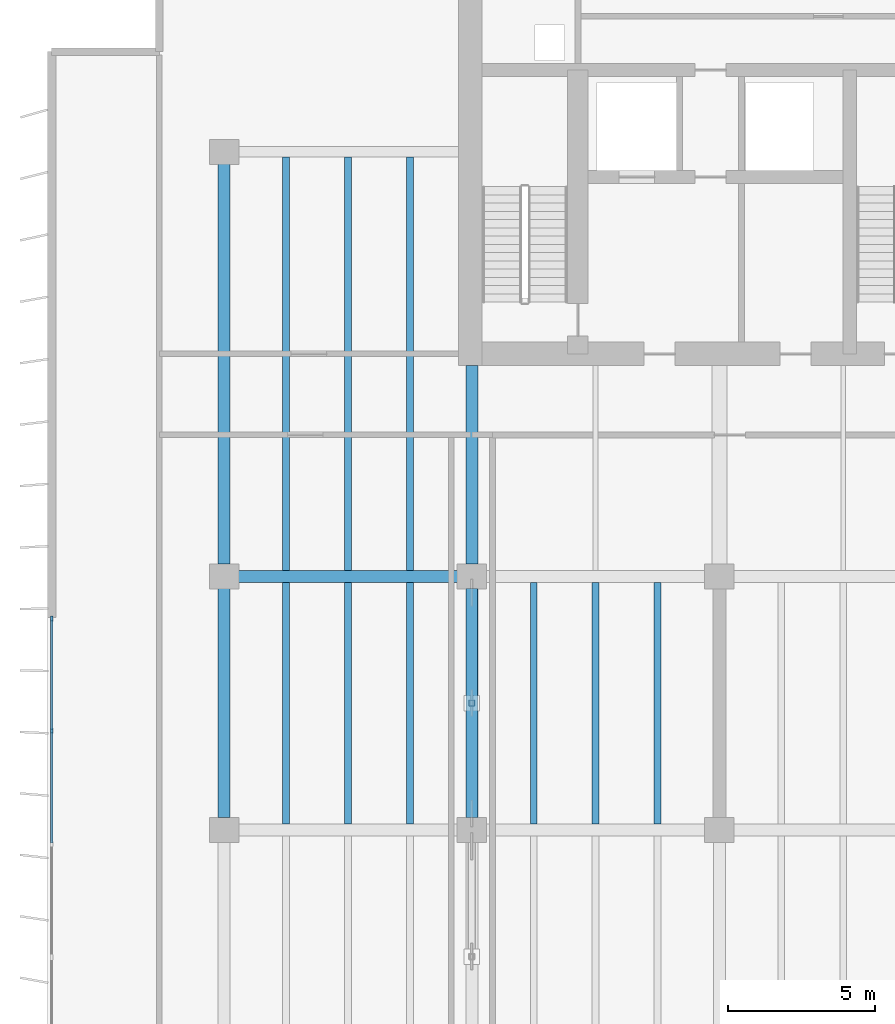
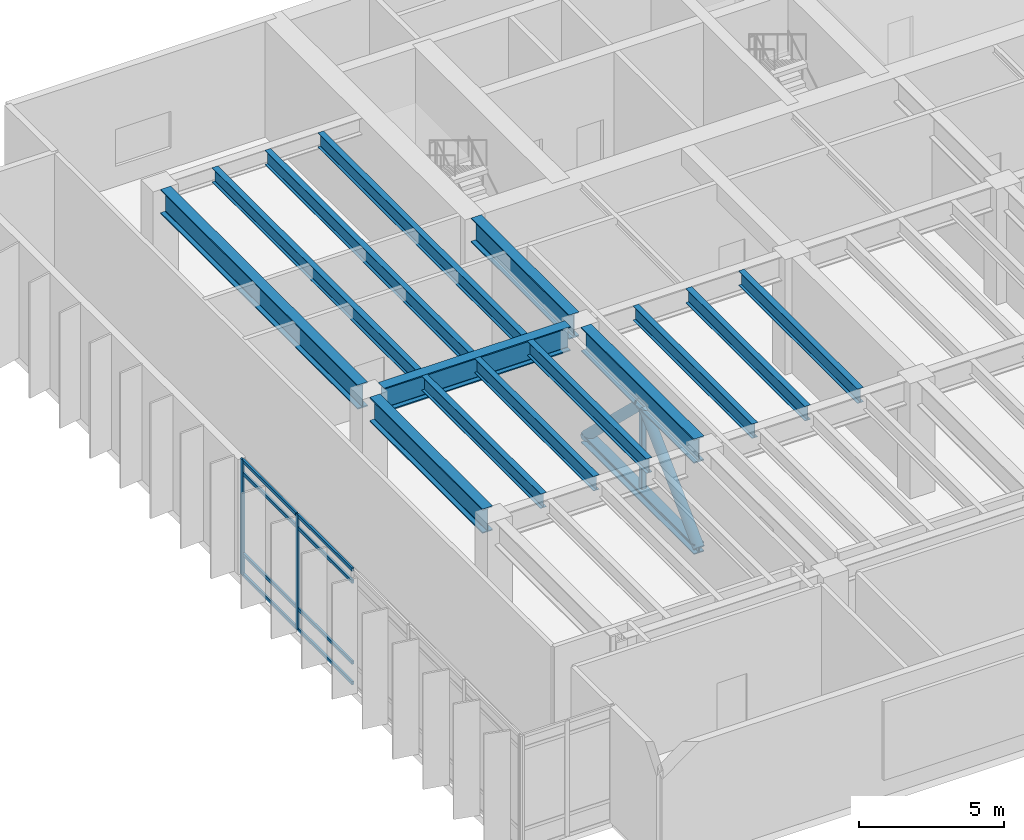
# One storey, part 4 of 18: 15 beams, 13 members, 1 element without a shape of its own.
"""IFC4 building model written with IfcOpenShell, lengths in metres."""

from ifc_helpers import new_model, si_unit, direction, frame, origin, origin_2d, place, context, subcontext, project, spatial, rectangle, hollow_rectangle, hollow_circle, i_section, extrude, material, layer, layer_set, material_profile, profile_set, type_object, element, aggregate, save


model = new_model("IFC4")

# Units and contexts
model_context = context("Model", 3, precision=1e-05, world=origin(), true_north=direction((0.0, 1.0)))
body_context = subcontext(model_context, "Body", "Model", "MODEL_VIEW")
ifc_project = project(units=[si_unit("LENGTHUNIT", "METRE"), si_unit("AREAUNIT", "SQUARE_METRE"), si_unit("VOLUMEUNIT", "CUBIC_METRE"), si_unit("PLANEANGLEUNIT", "RADIAN"), si_unit("MASSUNIT", "GRAM", prefix="KILO")], contexts=[model_context])

# Site, building, storey
site_placement = place(None, origin())
site = spatial("IfcSite", under=ifc_project, at=site_placement, CompositionType="ELEMENT")
building_placement = place(site_placement, origin())
building = spatial("IfcBuilding", under=site, at=building_placement, Name="Caelmar Bay Residences", CompositionType="ELEMENT")
storey_placement = place(building_placement, frame((0.0, 0.0, 152.10009765625)))
storey = spatial("IfcBuildingStorey", under=building, at=storey_placement, Name="L42", CompositionType="ELEMENT", Elevation=152.10009765625)

# Beams
ifc_material_1 = material(Name="Steel ASTM A992 Grade 50", Category="steel")
ifc_material_profile_1 = material_profile(ifc_material_1, i_section(OverallWidth=0.40087890625, OverallDepth=0.39892578125, WebThickness=0.02490234375, FlangeThickness=0.03955078125, FilletRadius=0.01513671875, at=origin_2d()), Name="W14X211")
ifc_profile_set_1 = profile_set([ifc_material_profile_1], Name="Steel ASTM A992 Grade 50")
beam_type_1 = type_object("IfcBeamType", Name="BM-CHD-W14X211", PredefinedType="BEAM", material=ifc_profile_set_1)
beam_1_placement = place(storey_placement, frame((18.300048828125, 21.215087890625, 0.199462890625), z_axis=(0.0, 1.0, 0.0), x_axis=(-1.0, 0.0, 0.0)))
element("IfcBeam", 1, at=beam_1_placement, inside=storey, type_object=beam_type_1, Name="L42 Outrigger Bottom Chord 2", PredefinedType="BEAM", context=body_context, shape_type="SweptSolid", body=[
    extrude(i_section(OverallWidth=0.40087890625, OverallDepth=0.39892578125, WebThickness=0.02490234375, FlangeThickness=0.03955078125, FilletRadius=0.01513671875, at=origin_2d()), origin(), (0.0, 0.0, 1.0), 7.77001953125),
])
ifc_material_profile_2 = material_profile(ifc_material_1, i_section(OverallWidth=0.404052734375, OverallDepth=1.02099609375, WebThickness=0.025390625, FlangeThickness=0.0458984375, FilletRadius=0.02294921875, at=origin_2d()), Name="W40X324")
ifc_profile_set_2 = profile_set([ifc_material_profile_2], Name="Steel ASTM A992 Grade 50")
beam_type_2 = type_object("IfcBeamType", Name="BM-GRD-W40X324", PredefinedType="BEAM", material=ifc_profile_set_2)
beam_2_placement = place(storey_placement, frame((10.389892578125, 29.39990234375, 4.33935546875), z_axis=(1.0, 0.0, 0.0), x_axis=(0.0, 1.0, 0.0)))
element("IfcBeam", 2, at=beam_2_placement, inside=storey, type_object=beam_type_2, Name="L42 East-West Girder Y=29.40 (9.9-18.3)", PredefinedType="BEAM", context=body_context, shape_type="SweptSolid", body=[
    extrude(i_section(OverallWidth=0.404052734375, OverallDepth=1.02099609375, WebThickness=0.025390625, FlangeThickness=0.0458984375, FilletRadius=0.02294921875, at=origin_2d()), origin(), (0.0, 0.0, 1.0), 7.420166015625),
])
beam_3_placement = place(storey_placement, frame((9.89990234375, 21.215087890625, 4.33935546875), z_axis=(0.0, 1.0, 0.0), x_axis=(-1.0, 0.0, 0.0)))
element("IfcBeam", 3, at=beam_3_placement, inside=storey, type_object=beam_type_2, Name="L42 North-South Girder X=9.90 (20.8-29.4)", PredefinedType="BEAM", context=body_context, shape_type="SweptSolid", body=[
    extrude(i_section(OverallWidth=0.404052734375, OverallDepth=1.02099609375, WebThickness=0.025390625, FlangeThickness=0.0458984375, FilletRadius=0.02294921875, at=origin_2d()), origin(), (0.0, 0.0, 1.0), 7.77001953125),
])
beam_4_placement = place(storey_placement, frame((9.89990234375, 29.81494140625, 4.33935546875), z_axis=(0.0, 1.0, 0.0), x_axis=(-1.0, 0.0, 0.0)))
element("IfcBeam", 4, at=beam_4_placement, inside=storey, type_object=beam_type_2, Name="L42 North-South Girder X=9.90 (29.4-43.8)", PredefinedType="BEAM", context=body_context, shape_type="SweptSolid", body=[
    extrude(i_section(OverallWidth=0.404052734375, OverallDepth=1.02099609375, WebThickness=0.025390625, FlangeThickness=0.0458984375, FilletRadius=0.02294921875, at=origin_2d()), origin(), (0.0, 0.0, 1.0), 13.570068359375),
])
beam_5_placement = place(storey_placement, frame((18.300048828125, 29.81494140625, 4.33935546875), z_axis=(0.0, 1.0, 0.0), x_axis=(-1.0, 0.0, 0.0)))
element("IfcBeam", 5, at=beam_5_placement, inside=storey, type_object=beam_type_2, Name="L42 Core Tie Girder X=18.30", PredefinedType="BEAM", context=body_context, shape_type="SweptSolid", body=[
    extrude(i_section(OverallWidth=0.404052734375, OverallDepth=1.02099609375, WebThickness=0.025390625, FlangeThickness=0.0458984375, FilletRadius=0.02294921875, at=origin_2d()), origin(), (0.0, 0.0, 1.0), 6.735107421875),
])
beam_6_placement = place(storey_placement, frame((18.300048828125, 21.215087890625, 4.33935546875), z_axis=(0.0, 1.0, 0.0), x_axis=(-1.0, 0.0, 0.0)))
element("IfcBeam", 6, at=beam_6_placement, inside=storey, type_object=beam_type_2, Name="L42 North-South Girder X=18.30 (20.8-29.4)", PredefinedType="BEAM", context=body_context, shape_type="SweptSolid", body=[
    extrude(i_section(OverallWidth=0.404052734375, OverallDepth=1.02099609375, WebThickness=0.025390625, FlangeThickness=0.0458984375, FilletRadius=0.02294921875, at=origin_2d()), origin(), (0.0, 0.0, 1.0), 7.77001953125),
])
ifc_material_profile_3 = material_profile(ifc_material_1, i_section(OverallWidth=0.22900390625, OverallDepth=0.612060546875, WebThickness=0.011962890625, FlangeThickness=0.01953125, FilletRadius=0.0126953125, at=origin_2d()), Name="W24X84")
ifc_profile_set_3 = profile_set([ifc_material_profile_3], Name="Steel ASTM A992 Grade 50")
beam_type_3 = type_object("IfcBeamType", Name="BM-JST-W24X84", PredefinedType="JOIST", material=ifc_profile_set_3)
for number, where, z_axis, x_axis, name in (
    (7, (12.0, 21.001953125, 4.5439453125), (0.0, 1.0, 0.0), (-1.0, 0.0, 0.0), "L42 Composite Floor Joist 22"),
    (8, (14.10009765625, 21.001953125, 4.5439453125), (0.0, 1.0, 0.0), (-1.0, 0.0, 0.0), "L42 Composite Floor Joist 23"),
    (9, (16.199951171875, 21.001953125, 4.5439453125), (0.0, 1.0, 0.0), (-1.0, 0.0, 0.0), "L42 Composite Floor Joist 24"),
    (10, (20.39990234375, 21.001953125, 4.5439453125), (0.0, 1.0, 0.0), (-1.0, 0.0, 0.0), "L42 Composite Floor Joist 25"),
    (11, (22.5, 21.001953125, 4.5439453125), (0.0, 1.0, 0.0), (-1.0, 0.0, 0.0), "L42 Composite Floor Joist 26"),
    (12, (24.60009765625, 21.001953125, 4.5439453125), (0.0, 1.0, 0.0), (-1.0, 0.0, 0.0), "L42 Composite Floor Joist 27"),
):
    element("IfcBeam", number, at=place(storey_placement, frame(where, z_axis=z_axis, x_axis=x_axis)), inside=storey, type_object=beam_type_3, Name=name, PredefinedType="JOIST", context=body_context, shape_type="SweptSolid", body=[
        extrude(i_section(OverallWidth=0.22900390625, OverallDepth=0.612060546875, WebThickness=0.011962890625, FlangeThickness=0.01953125, FilletRadius=0.0126953125, at=origin_2d()), origin(), (0.0, 0.0, 1.0), 8.196044921875),
    ])
for number, where, z_axis, x_axis, name in (
    (13, (12.0, 29.60205078125, 4.5439453125), (0.0, 1.0, 0.0), (-1.0, 0.0, 0.0), "L42 Composite Floor Joist 48"),
    (14, (14.10009765625, 29.60205078125, 4.5439453125), (0.0, 1.0, 0.0), (-1.0, 0.0, 0.0), "L42 Composite Floor Joist 49"),
    (15, (16.199951171875, 29.60205078125, 4.5439453125), (0.0, 1.0, 0.0), (-1.0, 0.0, 0.0), "L42 Composite Floor Joist 50"),
):
    element("IfcBeam", number, at=place(storey_placement, frame(where, z_axis=z_axis, x_axis=x_axis)), inside=storey, type_object=beam_type_3, Name=name, PredefinedType="JOIST", context=body_context, shape_type="SweptSolid", body=[
        extrude(i_section(OverallWidth=0.22900390625, OverallDepth=0.612060546875, WebThickness=0.011962890625, FlangeThickness=0.01953125, FilletRadius=0.0126953125, at=origin_2d()), origin(), (0.0, 0.0, 1.0), 14.02001953125),
    ])

# Curtain wall, members
ifc_material_2 = material(Name="Anodised bronze aluminium 6063-T6 and laminated glass", Category="aluminium")
ifc_layer = layer(ifc_material_2, 0.179931640625)
ifc_layer_set = layer_set([ifc_layer], Name="Anodised bronze aluminium 6063-T6 and laminated glass")
curtain_wall_type = type_object("IfcCurtainWallType", Name="CW3-Z2", PredefinedType="NOTDEFINED", material=ifc_layer_set)
curtain_wall_placement = place(storey_placement, origin())
curtain_wall = element("IfcCurtainWall", 16, at=curtain_wall_placement, inside=storey, type_object=curtain_wall_type, Name="CW3 curtain wall L42", PredefinedType="NOTDEFINED")
ifc_material_3 = material(Name="Anodised bronze aluminium 6063-T6", Category="aluminium")
ifc_material_profile_4 = material_profile(ifc_material_3, rectangle(XDim=0.080078125, YDim=0.179931640625, at=origin_2d()), Name="CWM-80X180")
ifc_profile_set_4 = profile_set([ifc_material_profile_4], Name="Anodised bronze aluminium 6063-T6")
member_type_1 = type_object("IfcMemberType", Name="CWM-180", PredefinedType="MULLION", material=ifc_profile_set_4)
member_1_placement = place(storey_placement, frame((4.050048828125, 24.159912109375, 0.0), z_axis=(0.0, 0.0, 1.0), x_axis=(-1.0, 0.0, 0.0)))
member_1 = element("IfcMember", 17, at=member_1_placement, type_object=member_type_1, Name="CW3 mullion 5", PredefinedType="MULLION", context=body_context, shape_type="SweptSolid", body=[
    extrude(rectangle(XDim=0.080078125, YDim=0.179931640625, at=origin_2d()), origin(), (0.0, 0.0, 1.0), 4.849853515625),
])
member_2_placement = place(storey_placement, frame((4.050048828125, 27.9599609375, 0.0), z_axis=(0.0, 0.0, 1.0), x_axis=(-1.0, 0.0, 0.0)))
member_2 = element("IfcMember", 18, at=member_2_placement, type_object=member_type_1, Name="CW3 mullion 6", PredefinedType="MULLION", context=body_context, shape_type="SweptSolid", body=[
    extrude(rectangle(XDim=0.080078125, YDim=0.179931640625, at=origin_2d()), origin(), (0.0, 0.0, 1.0), 4.849853515625),
])
ifc_material_profile_5 = material_profile(ifc_material_3, rectangle(XDim=0.080078125, YDim=0.139892578125, at=origin_2d()), Name="CWT-80X140")
ifc_profile_set_5 = profile_set([ifc_material_profile_5], Name="Anodised bronze aluminium 6063-T6")
member_type_2 = type_object("IfcMemberType", Name="CWT-140", PredefinedType="NOTDEFINED", material=ifc_profile_set_5)
member_3_placement = place(storey_placement, frame((4.050048828125, 20.360107421875, 0.039794921875), z_axis=(0.0, 1.0, 0.0), x_axis=(-1.0, 0.0, 0.0)))
member_3 = element("IfcMember", 19, at=member_3_placement, type_object=member_type_2, Name="CW3 transom 4.1", ObjectType="TRANSOM", PredefinedType="USERDEFINED", context=body_context, shape_type="SweptSolid", body=[
    extrude(rectangle(XDim=0.080078125, YDim=0.139892578125, at=origin_2d()), origin(), (0.0, 0.0, 1.0), 3.760009765625),
])
member_4_placement = place(storey_placement, frame((4.050048828125, 20.360107421875, 0.89990234375), z_axis=(0.0, 1.0, 0.0), x_axis=(-1.0, 0.0, 0.0)))
member_4 = element("IfcMember", 20, at=member_4_placement, type_object=member_type_2, Name="CW3 transom 4.2", ObjectType="TRANSOM", PredefinedType="USERDEFINED", context=body_context, shape_type="SweptSolid", body=[
    extrude(rectangle(XDim=0.080078125, YDim=0.139892578125, at=origin_2d()), origin(), (0.0, 0.0, 1.0), 3.760009765625),
])
member_5_placement = place(storey_placement, frame((4.050048828125, 20.360107421875, 4.2998046875), z_axis=(0.0, 1.0, 0.0), x_axis=(-1.0, 0.0, 0.0)))
member_5 = element("IfcMember", 21, at=member_5_placement, type_object=member_type_2, Name="CW3 transom 4.3", ObjectType="TRANSOM", PredefinedType="USERDEFINED", context=body_context, shape_type="SweptSolid", body=[
    extrude(rectangle(XDim=0.080078125, YDim=0.139892578125, at=origin_2d()), origin(), (0.0, 0.0, 1.0), 3.760009765625),
])
member_6_placement = place(storey_placement, frame((4.050048828125, 20.360107421875, 4.809814453125), z_axis=(0.0, 1.0, 0.0), x_axis=(-1.0, 0.0, 0.0)))
member_6 = element("IfcMember", 22, at=member_6_placement, type_object=member_type_2, Name="CW3 transom 4.4", ObjectType="TRANSOM", PredefinedType="USERDEFINED", context=body_context, shape_type="SweptSolid", body=[
    extrude(rectangle(XDim=0.080078125, YDim=0.139892578125, at=origin_2d()), origin(), (0.0, 0.0, 1.0), 3.760009765625),
])
member_7_placement = place(storey_placement, frame((4.050048828125, 24.199951171875, 0.039794921875), z_axis=(0.0, 1.0, 0.0), x_axis=(-1.0, 0.0, 0.0)))
member_7 = element("IfcMember", 23, at=member_7_placement, type_object=member_type_2, Name="CW3 transom 5.1", ObjectType="TRANSOM", PredefinedType="USERDEFINED", context=body_context, shape_type="SweptSolid", body=[
    extrude(rectangle(XDim=0.080078125, YDim=0.139892578125, at=origin_2d()), origin(), (0.0, 0.0, 1.0), 3.719970703125),
])
member_8_placement = place(storey_placement, frame((4.050048828125, 24.199951171875, 0.89990234375), z_axis=(0.0, 1.0, 0.0), x_axis=(-1.0, 0.0, 0.0)))
member_8 = element("IfcMember", 24, at=member_8_placement, type_object=member_type_2, Name="CW3 transom 5.2", ObjectType="TRANSOM", PredefinedType="USERDEFINED", context=body_context, shape_type="SweptSolid", body=[
    extrude(rectangle(XDim=0.080078125, YDim=0.139892578125, at=origin_2d()), origin(), (0.0, 0.0, 1.0), 3.719970703125),
])
member_9_placement = place(storey_placement, frame((4.050048828125, 24.199951171875, 4.2998046875), z_axis=(0.0, 1.0, 0.0), x_axis=(-1.0, 0.0, 0.0)))
member_9 = element("IfcMember", 25, at=member_9_placement, type_object=member_type_2, Name="CW3 transom 5.3", ObjectType="TRANSOM", PredefinedType="USERDEFINED", context=body_context, shape_type="SweptSolid", body=[
    extrude(rectangle(XDim=0.080078125, YDim=0.139892578125, at=origin_2d()), origin(), (0.0, 0.0, 1.0), 3.719970703125),
])
member_10_placement = place(storey_placement, frame((4.050048828125, 24.199951171875, 4.809814453125), z_axis=(0.0, 1.0, 0.0), x_axis=(-1.0, 0.0, 0.0)))
member_10 = element("IfcMember", 26, at=member_10_placement, type_object=member_type_2, Name="CW3 transom 5.4", ObjectType="TRANSOM", PredefinedType="USERDEFINED", context=body_context, shape_type="SweptSolid", body=[
    extrude(rectangle(XDim=0.080078125, YDim=0.139892578125, at=origin_2d()), origin(), (0.0, 0.0, 1.0), 3.719970703125),
])
aggregate(curtain_wall, [member_1, member_2, member_3, member_4, member_5, member_6, member_7, member_8, member_9, member_10])

# Members
ifc_material_4 = material(Name="Steel ASTM A500 Grade C", Category="steel")
ifc_material_profile_6 = material_profile(ifc_material_4, hollow_circle(Radius=0.202880859375, WallThickness=0.020751953125, at=origin_2d()), Name="CHS406X22.2")
ifc_profile_set_6 = profile_set([ifc_material_profile_6], Name="Steel ASTM A500 Grade C")
member_type_3 = type_object("IfcMemberType", Name="MEM-OUT-CHS406", PredefinedType="BRACE", material=ifc_profile_set_6)
member_11_placement = place(storey_placement, frame((18.300048828125, 21.215087890625, 0.219970703125), z_axis=(0.0, 0.720456799152, 0.693499820155), x_axis=(-1.0, 0.0, 0.0)))
element("IfcMember", 27, at=member_11_placement, inside=storey, type_object=member_type_3, Name="L42 Outrigger Diagonal 2A", PredefinedType="BRACE", context=body_context, shape_type="SweptSolid", body=[
    extrude(hollow_circle(Radius=0.202880859375, WallThickness=0.020751953125, at=origin_2d()), origin(), (0.0, 0.0, 1.0), 5.2255859375),
])
member_12_placement = place(storey_placement, frame((18.300048828125, 28.985107421875, 0.219970703125), z_axis=(0.0, -0.720479267244, 0.693476477951), x_axis=(1.0, 0.0, 0.0)))
element("IfcMember", 28, at=member_12_placement, inside=storey, type_object=member_type_3, Name="L42 Outrigger Secondary Diagonal 2B", PredefinedType="BRACE", context=body_context, shape_type="SweptSolid", body=[
    extrude(hollow_circle(Radius=0.202880859375, WallThickness=0.020751953125, at=origin_2d()), origin(), (0.0, 0.0, 1.0), 5.225830078125),
])
ifc_material_profile_7 = material_profile(ifc_material_4, hollow_rectangle(XDim=0.202880859375, YDim=0.202880859375, WallThickness=0.01171875, InnerFilletRadius=0.01171875, OuterFilletRadius=0.023681640625, at=origin_2d()), Name="HSS200X200X12.7")
ifc_profile_set_7 = profile_set([ifc_material_profile_7], Name="Steel ASTM A500 Grade C")
member_type_4 = type_object("IfcMemberType", Name="MEM-PST-HSS200", PredefinedType="POST", material=ifc_profile_set_7)
member_13_placement = place(storey_placement, frame((18.300048828125, 25.10009765625, 0.39892578125), z_axis=(0.0, 0.0, 1.0), x_axis=(1.0, 0.0, 0.0)))
element("IfcMember", 29, at=member_13_placement, inside=storey, type_object=member_type_4, Name="L42 Outrigger Web Post 2", PredefinedType="POST", context=body_context, shape_type="SweptSolid", body=[
    extrude(hollow_rectangle(XDim=0.202880859375, YDim=0.202880859375, WallThickness=0.01171875, InnerFilletRadius=0.01171875, OuterFilletRadius=0.023681640625, at=origin_2d()), origin(), (0.0, 0.0, 1.0), 3.445068359375),
])

save(model, "model.ifc")
